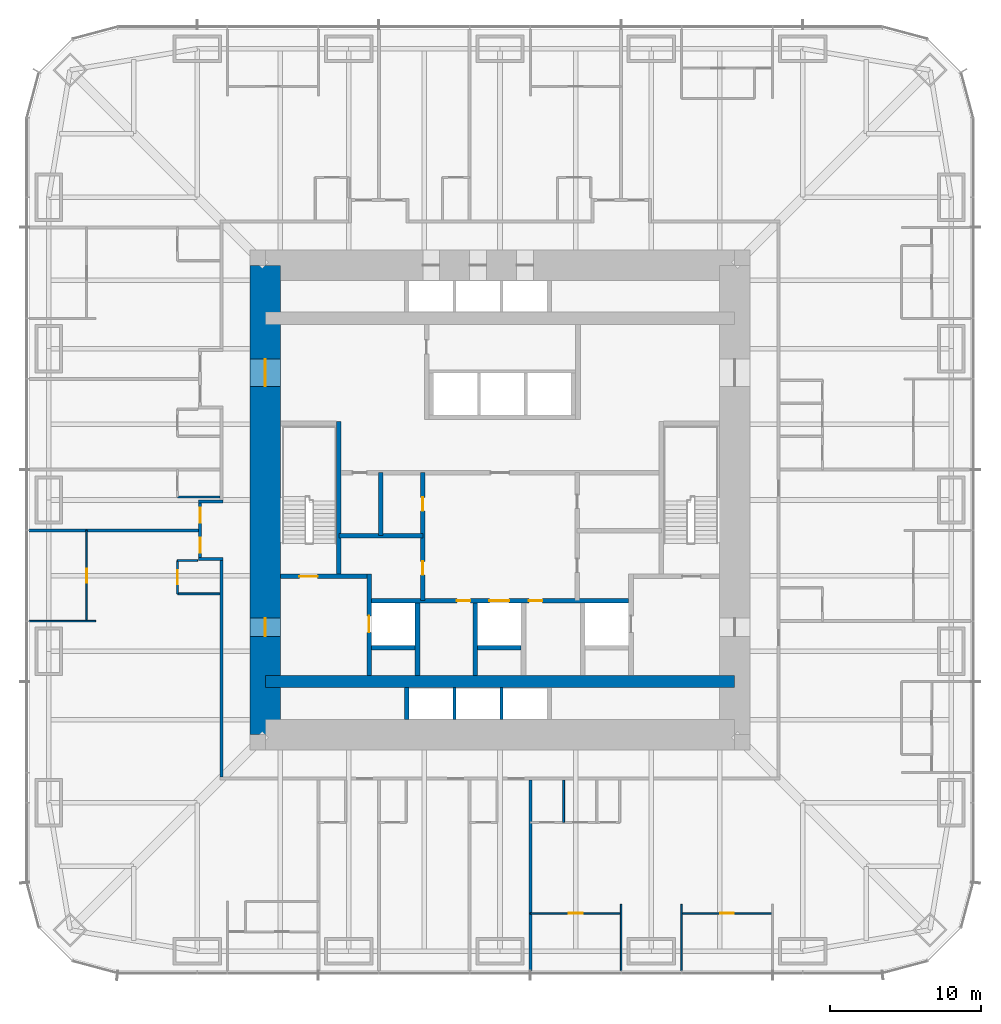
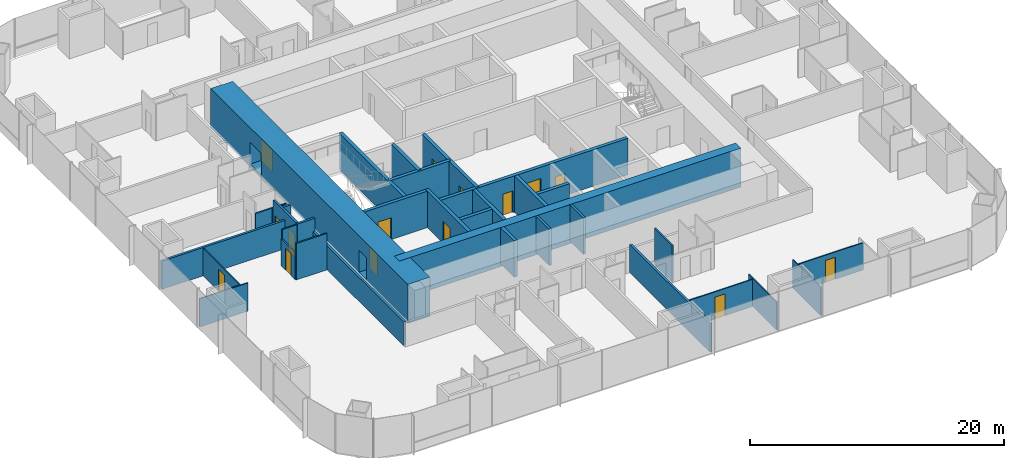
# One storey, part 12 of 17: 33 walls, 15 doors, 15 openings.
"""IFC4 building model written with IfcOpenShell, lengths in metres."""

from ifc_helpers import new_model, si_unit, direction, frame, frame_2d, origin, place, context, subcontext, project, spatial, rectangle, extrude, material, layer, layer_set, type_object, element, fill, save


model = new_model("IFC4")

# Units and contexts
model_context = context("Model", 3, precision=1e-05, world=origin(), true_north=direction((0.0, 1.0)))
body_context = subcontext(model_context, "Body", "Model", "MODEL_VIEW")
ifc_project = project(units=[si_unit("LENGTHUNIT", "METRE"), si_unit("AREAUNIT", "SQUARE_METRE"), si_unit("VOLUMEUNIT", "CUBIC_METRE"), si_unit("PLANEANGLEUNIT", "RADIAN"), si_unit("MASSUNIT", "GRAM", prefix="KILO")], contexts=[model_context])

# Site, building, storey
site_placement = place(None, origin())
site = spatial("IfcSite", under=ifc_project, at=site_placement, CompositionType="ELEMENT")
building_placement = place(site_placement, origin())
building = spatial("IfcBuilding", under=site, at=building_placement, Name="Khuree Lantern Residences", CompositionType="ELEMENT")
storey_placement = place(building_placement, frame((0.0, 0.0, 73.5)))
storey = spatial("IfcBuildingStorey", under=building, at=storey_placement, Name="L18", CompositionType="ELEMENT", Elevation=73.5)

# Wall
ifc_material_1 = material(Name="Moisture-resistant gypsum board on steel studs", Category="steel")
ifc_layer_1 = layer(ifc_material_1, 0.125)
ifc_layer_set_1 = layer_set([ifc_layer_1], Name="BATHROOM WALL BTW125")
wall_type_1 = type_object("IfcWallType", Name="BATHROOM WALL BTW125", PredefinedType="PARTITIONING", material=ifc_layer_set_1)
wall_1_placement = place(storey_placement, frame((-18.5, 0.199951171875, 0.0), z_axis=(0.0, 0.0, 1.0), x_axis=(-1.0, 0.0, 0.0)))
element("IfcWall", 1, at=wall_1_placement, inside=storey, type_object=wall_type_1, Name="L18 BATHROOM WALL 08", PredefinedType="PARTITIONING", context=body_context, shape_type="SweptSolid", body=[
    extrude(rectangle(XDim=2.800048828125, YDim=0.125, at=frame_2d((1.39990234375, 0.0))), origin(), (0.0, 0.0, 1.0), 2.491943359375),
])

# Wall, opening, door
wall_2_placement = place(storey_placement, frame((-21.300048828125, -4.0, 0.0), z_axis=(0.0, 0.0, 1.0), x_axis=(0.0, -1.0, 0.0)))
wall_2 = element("IfcWall", 2, at=wall_2_placement, inside=storey, type_object=wall_type_1, Name="L18 BATHROOM WALL 09", PredefinedType="PARTITIONING", context=body_context, shape_type="SweptSolid", body=[
    extrude(rectangle(XDim=2.199951171875, YDim=0.125, at=frame_2d((1.10009765625, 0.0))), origin(), (0.0, 0.0, 1.0), 2.610107421875),
])
opening_1_placement = place(wall_2_placement, frame((0.64990234375, 0.0, 0.0)))
opening_1 = element("IfcOpeningElement", 3, at=opening_1_placement, cuts=wall_2, Name="Opening 18-052", PredefinedType="OPENING", context=body_context, shape_type="SweptSolid", body=[
    extrude(rectangle(XDim=0.89990234375, YDim=2.10009765625, at=frame_2d((0.449951171875, 1.050048828125))), frame((0.0, 0.072509765625, 0.0), z_axis=(0.0, -1.0, 0.0), x_axis=(1.0, 0.0, 0.0)), (0.0, 0.0, 1.0), 0.14501953125),
])
ifc_material_2 = material(Name="Timber door leaf in hardwood frame", Category="wood")
door_type_1 = type_object("IfcDoorType", Name="BATHROOM DOOR 900X2100", OperationType="SINGLE_SWING_LEFT", PredefinedType="DOOR", material=ifc_material_2)
door_1_placement = place(opening_1_placement, origin())
door_1 = element("IfcDoor", 4, at=door_1_placement, inside=storey, type_object=door_type_1, Name="Bathroom door 18-052", OperationType="SINGLE_SWING_LEFT", OverallHeight=2.10009765625, OverallWidth=0.89990234375, PredefinedType="DOOR", context=body_context, shape_type="SweptSolid", body=[
    extrude(rectangle(XDim=0.89990234375, YDim=2.10009765625, at=frame_2d((0.449951171875, 1.050048828125))), frame((0.0, 0.02490234375, 0.0), z_axis=(0.0, -1.0, 0.0), x_axis=(1.0, 0.0, 0.0)), (0.0, 0.0, 1.0), 0.050048828125),
])
fill(opening_1, door_1)

# Walls
wall_3_placement = place(storey_placement, frame((-19.969970703125, -4.0, 0.0), z_axis=(0.0, 0.0, 1.0), x_axis=(-1.0, 0.0, 0.0)))
element("IfcWall", 5, at=wall_3_placement, inside=storey, type_object=wall_type_1, Name="L18 BATHROOM WALL 09", PredefinedType="PARTITIONING", context=body_context, shape_type="SweptSolid", body=[
    extrude(rectangle(XDim=1.330078125, YDim=0.125, at=frame_2d((0.6650390625, 0.0))), origin(), (0.0, 0.0, 1.0), 3.5),
])
for number, where, z_axis, x_axis, name in (
    (6, (-18.5, -6.199951171875, 0.0), (0.0, 0.0, 1.0), (-1.0, 0.0, 0.0), "L18 BATHROOM WALL 09"),
    (7, (4.199951171875, -18.5, 0.0), (0.0, 0.0, 1.0), (0.0, -1.0, 0.0), "L18 BATHROOM WALL 13"),
):
    element("IfcWall", number, at=place(storey_placement, frame(where, z_axis=z_axis, x_axis=x_axis)), inside=storey, type_object=wall_type_1, Name=name, PredefinedType="PARTITIONING", context=body_context, shape_type="SweptSolid", body=[
        extrude(rectangle(XDim=2.800048828125, YDim=0.125, at=frame_2d((1.39990234375, 0.0))), origin(), (0.0, 0.0, 1.0), 3.5),
    ])

# Wall, opening, door
ifc_material_3 = material(Name="Dense concrete blockwork", Category="masonry")
ifc_layer_2 = layer(ifc_material_3, 0.300048828125)
ifc_layer_set_2 = layer_set([ifc_layer_2], Name="CORE PARTITION WALL CPW300 EI 120")
wall_type_2 = type_object("IfcWallType", Name="CORE PARTITION WALL CPW300 EI 120", PredefinedType="PARTITIONING", material=ifc_layer_set_2)
wall_4_placement = place(storey_placement, frame((-8.64990234375, -11.60009765625, 0.0), z_axis=(0.0, 0.0, 1.0), x_axis=(0.0, 1.0, 0.0)))
wall_4 = element("IfcWall", 8, at=wall_4_placement, inside=storey, type_object=wall_type_2, Name="L18 CORE WALL FL1W", PredefinedType="PARTITIONING", context=body_context, shape_type="SweptSolid", body=[
    extrude(rectangle(XDim=6.7001953125, YDim=0.300048828125, at=frame_2d((3.35009765625, 0.0))), origin(), (0.0, 0.0, 1.0), 3.5),
])
opening_2_placement = place(wall_4_placement, frame((2.85009765625, 0.0, 0.0)))
opening_2 = element("IfcOpeningElement", 9, at=opening_2_placement, cuts=wall_4, Name="Opening 18-007", PredefinedType="OPENING", context=body_context, shape_type="SweptSolid", body=[
    extrude(rectangle(XDim=1.10009765625, YDim=2.10009765625, at=frame_2d((0.550048828125, 1.050048828125))), frame((0.0, 0.16015625, 0.0), z_axis=(0.0, -1.0, 0.0), x_axis=(1.0, 0.0, 0.0)), (0.0, 0.0, 1.0), 0.320068359375),
])
ifc_material_4 = material(Name="Stainless steel lift landing door", Category="steel")
door_type_2 = type_object("IfcDoorType", Name="LIFT LANDING DOOR 1100X2100 E 120", OperationType="DOUBLE_DOOR_SLIDING", PredefinedType="DOOR", material=ifc_material_4)
door_2_placement = place(opening_2_placement, origin())
door_2 = element("IfcDoor", 10, at=door_2_placement, inside=storey, type_object=door_type_2, Name="Landing door FL1 18-007", OperationType="DOUBLE_DOOR_SLIDING", OverallHeight=2.10009765625, OverallWidth=1.10009765625, PredefinedType="DOOR", context=body_context, shape_type="SweptSolid", body=[
    extrude(rectangle(XDim=1.10009765625, YDim=2.10009765625, at=frame_2d((0.550048828125, 1.050048828125))), frame((0.0, 0.02490234375, 0.0), z_axis=(0.0, -1.0, 0.0), x_axis=(1.0, 0.0, 0.0)), (0.0, 0.0, 1.0), 0.050048828125),
])
fill(opening_2, door_2)

# Wall, openings, doors
wall_5_placement = place(storey_placement, frame((-8.5, -6.64990234375, 0.0), z_axis=(0.0, 0.0, 1.0), x_axis=(1.0, 0.0, 0.0)))
wall_5 = element("IfcWall", 11, at=wall_5_placement, inside=storey, type_object=wall_type_2, Name="L18 CORE WALL FLROW", PredefinedType="PARTITIONING", context=body_context, shape_type="SweptSolid", body=[
    extrude(rectangle(XDim=17.0, YDim=0.300048828125, at=frame_2d((8.5, 0.0))), origin(), (0.0, 0.0, 1.0), 3.5),
])
opening_3_placement = place(wall_5_placement, frame((7.800048828125, 0.0, 0.0)))
opening_3 = element("IfcOpeningElement", 12, at=opening_3_placement, cuts=wall_5, Name="Opening 18-012", PredefinedType="OPENING", context=body_context, shape_type="SweptSolid", body=[
    extrude(rectangle(XDim=1.300048828125, YDim=2.39990234375, at=frame_2d((0.64990234375, 1.199951171875))), frame((0.0, 0.16015625, 0.0), z_axis=(0.0, -1.0, 0.0), x_axis=(1.0, 0.0, 0.0)), (0.0, 0.0, 1.0), 0.320068359375),
])
opening_4_placement = place(wall_5_placement, frame((5.64990234375, 0.0, 0.0)))
opening_4 = element("IfcOpeningElement", 13, at=opening_4_placement, cuts=wall_5, Name="Opening 18-014", PredefinedType="OPENING", context=body_context, shape_type="SweptSolid", body=[
    extrude(rectangle(XDim=0.89990234375, YDim=2.10009765625, at=frame_2d((0.449951171875, 1.050048828125))), frame((0.0, 0.16015625, 0.0), z_axis=(0.0, -1.0, 0.0), x_axis=(1.0, 0.0, 0.0)), (0.0, 0.0, 1.0), 0.320068359375),
])
opening_5_placement = place(wall_5_placement, frame((10.39990234375, 0.0, 0.0)))
opening_5 = element("IfcOpeningElement", 14, at=opening_5_placement, cuts=wall_5, Name="Opening 18-015", PredefinedType="OPENING", context=body_context, shape_type="SweptSolid", body=[
    extrude(rectangle(XDim=0.89990234375, YDim=2.10009765625, at=frame_2d((0.449951171875, 1.050048828125))), frame((0.0, 0.16015625, 0.0), z_axis=(0.0, -1.0, 0.0), x_axis=(1.0, 0.0, 0.0)), (0.0, 0.0, 1.0), 0.320068359375),
])
ifc_material_5 = material(Name="Steel door leaf in steel frame", Category="steel")
door_type_3 = type_object("IfcDoorType", Name="DOOR 900X2100 EI 60", OperationType="SINGLE_SWING_LEFT", PredefinedType="DOOR", material=ifc_material_5)
door_3_placement = place(opening_4_placement, origin())
door_3 = element("IfcDoor", 15, at=door_3_placement, inside=storey, type_object=door_type_3, Name="Refuse chute room door 18-014", OperationType="SINGLE_SWING_LEFT", OverallHeight=2.10009765625, OverallWidth=0.89990234375, PredefinedType="DOOR", context=body_context, shape_type="SweptSolid", body=[
    extrude(rectangle(XDim=0.89990234375, YDim=2.10009765625, at=frame_2d((0.449951171875, 1.050048828125))), frame((0.0, 0.02490234375, 0.0), z_axis=(0.0, -1.0, 0.0), x_axis=(1.0, 0.0, 0.0)), (0.0, 0.0, 1.0), 0.050048828125),
])
fill(opening_4, door_3)
door_type_4 = type_object("IfcDoorType", Name="DOOR 900X2100 EI 60 RIGHT HAND", OperationType="SINGLE_SWING_RIGHT", PredefinedType="DOOR", material=ifc_material_5)
door_4_placement = place(opening_5_placement, origin())
door_4 = element("IfcDoor", 16, at=door_4_placement, inside=storey, type_object=door_type_4, Name="Electrical and plumbing riser door 18-015", OperationType="SINGLE_SWING_RIGHT", OverallHeight=2.10009765625, OverallWidth=0.89990234375, PredefinedType="DOOR", context=body_context, shape_type="SweptSolid", body=[
    extrude(rectangle(XDim=0.89990234375, YDim=2.10009765625, at=frame_2d((0.449951171875, 1.050048828125))), frame((0.0, 0.02490234375, 0.0), z_axis=(0.0, -1.0, 0.0), x_axis=(1.0, 0.0, 0.0)), (0.0, 0.0, 1.0), 0.050048828125),
])
fill(opening_5, door_4)
door_type_5 = type_object("IfcDoorType", Name="LIFT LANDING DOOR 1300X2400 E 60", OperationType="DOUBLE_DOOR_SLIDING", PredefinedType="DOOR", material=ifc_material_4)
door_5_placement = place(opening_3_placement, origin())
door_5 = element("IfcDoor", 17, at=door_5_placement, inside=storey, type_object=door_type_5, Name="Landing door SL1 18-012", OperationType="DOUBLE_DOOR_SLIDING", OverallHeight=2.39990234375, OverallWidth=1.300048828125, PredefinedType="DOOR", context=body_context, shape_type="SweptSolid", body=[
    extrude(rectangle(XDim=1.300048828125, YDim=2.39990234375, at=frame_2d((0.64990234375, 1.199951171875))), frame((0.0, 0.02490234375, 0.0), z_axis=(0.0, -1.0, 0.0), x_axis=(1.0, 0.0, 0.0)), (0.0, 0.0, 1.0), 0.050048828125),
])
fill(opening_3, door_5)

# Walls
for number, where, z_axis, x_axis, name in (
    (18, (-5.449951171875, -11.60009765625, 0.0), (0.0, 0.0, 1.0), (0.0, 1.0, 0.0), "L18 CORE WALL FL1E"),
    (19, (-1.64990234375, -11.60009765625, 0.0), (0.0, 0.0, 1.0), (0.0, 1.0, 0.0), "L18 CORE WALL SL1W"),
):
    element("IfcWall", number, at=place(storey_placement, frame(where, z_axis=z_axis, x_axis=x_axis)), inside=storey, type_object=wall_type_2, Name=name, PredefinedType="PARTITIONING", context=body_context, shape_type="SweptSolid", body=[
        extrude(rectangle(XDim=4.800048828125, YDim=0.300048828125, at=frame_2d((2.39990234375, 0.0))), origin(), (0.0, 0.0, 1.0), 3.5),
    ])
for number, where, z_axis, x_axis, name in (
    (20, (-8.5, -9.75, 0.0), (0.0, 0.0, 1.0), (1.0, 0.0, 0.0), "L18 CORE WALL FL1S"),
    (21, (-1.5, -9.75, 0.0), (0.0, 0.0, 1.0), (1.0, 0.0, 0.0), "L18 CORE WALL SL1S"),
):
    element("IfcWall", number, at=place(storey_placement, frame(where, z_axis=z_axis, x_axis=x_axis)), inside=storey, type_object=wall_type_2, Name=name, PredefinedType="PARTITIONING", context=body_context, shape_type="SweptSolid", body=[
        extrude(rectangle(XDim=2.89990234375, YDim=0.300048828125, at=frame_2d((1.449951171875, 0.0))), origin(), (0.0, 0.0, 1.0), 3.5),
    ])
wall_6_placement = place(storey_placement, frame((-6.14990234375, -14.5, 0.0), z_axis=(0.0, 0.0, 1.0), x_axis=(0.0, 1.0, 0.0)))
element("IfcWall", 22, at=wall_6_placement, inside=storey, type_object=wall_type_2, Name="L18 CORE WALL PMW", PredefinedType="PARTITIONING", context=body_context, shape_type="SweptSolid", body=[
    extrude(rectangle(XDim=2.10009765625, YDim=0.300048828125, at=frame_2d((1.050048828125, 0.0))), origin(), (0.0, 0.0, 1.0), 3.5),
])

# Wall, openings, doors
wall_7_placement = place(storey_placement, frame((-5.10009765625, -6.64990234375, 0.0), z_axis=(0.0, 0.0, 1.0), x_axis=(0.0, 1.0, 0.0)))
wall_7 = element("IfcWall", 23, at=wall_7_placement, inside=storey, type_object=wall_type_2, Name="L18 CORE WALL SVW", PredefinedType="PARTITIONING", context=body_context, shape_type="SweptSolid", body=[
    extrude(rectangle(XDim=8.449951171875, YDim=0.300048828125, at=frame_2d((4.22509765625, 0.0))), origin(), (0.0, 0.0, 1.0), 3.5),
])
opening_6_placement = place(wall_7_placement, frame((1.699951171875, 0.0, 0.0)))
opening_6 = element("IfcOpeningElement", 24, at=opening_6_placement, cuts=wall_7, Name="Opening 18-016", PredefinedType="OPENING", context=body_context, shape_type="SweptSolid", body=[
    extrude(rectangle(XDim=0.89990234375, YDim=2.10009765625, at=frame_2d((0.449951171875, 1.050048828125))), frame((0.0, 0.16015625, 0.0), z_axis=(0.0, -1.0, 0.0), x_axis=(1.0, 0.0, 0.0)), (0.0, 0.0, 1.0), 0.320068359375),
])
opening_7_placement = place(wall_7_placement, frame((5.925048828125, 0.0, 0.0)))
opening_7 = element("IfcOpeningElement", 25, at=opening_7_placement, cuts=wall_7, Name="Opening 18-017", PredefinedType="OPENING", context=body_context, shape_type="SweptSolid", body=[
    extrude(rectangle(XDim=0.89990234375, YDim=2.10009765625, at=frame_2d((0.449951171875, 1.050048828125))), frame((0.0, 0.16015625, 0.0), z_axis=(0.0, -1.0, 0.0), x_axis=(1.0, 0.0, 0.0)), (0.0, 0.0, 1.0), 0.320068359375),
])
door_type_6 = type_object("IfcDoorType", Name="DOOR 900X2100", OperationType="SINGLE_SWING_LEFT", PredefinedType="DOOR", material=ifc_material_2)
door_6_placement = place(opening_6_placement, origin())
door_6 = element("IfcDoor", 26, at=door_6_placement, inside=storey, type_object=door_type_6, Name="Parcel room door 18-016", OperationType="SINGLE_SWING_LEFT", OverallHeight=2.10009765625, OverallWidth=0.89990234375, PredefinedType="DOOR", context=body_context, shape_type="SweptSolid", body=[
    extrude(rectangle(XDim=0.89990234375, YDim=2.10009765625, at=frame_2d((0.449951171875, 1.050048828125))), frame((0.0, 0.02490234375, 0.0), z_axis=(0.0, -1.0, 0.0), x_axis=(1.0, 0.0, 0.0)), (0.0, 0.0, 1.0), 0.050048828125),
])
fill(opening_6, door_6)
door_7_placement = place(opening_7_placement, origin())
door_7 = element("IfcDoor", 27, at=door_7_placement, inside=storey, type_object=door_type_6, Name="Housekeeping store door 18-017", OperationType="SINGLE_SWING_LEFT", OverallHeight=2.10009765625, OverallWidth=0.89990234375, PredefinedType="DOOR", context=body_context, shape_type="SweptSolid", body=[
    extrude(rectangle(XDim=0.89990234375, YDim=2.10009765625, at=frame_2d((0.449951171875, 1.050048828125))), frame((0.0, 0.02490234375, 0.0), z_axis=(0.0, -1.0, 0.0), x_axis=(1.0, 0.0, 0.0)), (0.0, 0.0, 1.0), 0.050048828125),
])
fill(opening_7, door_7)

# Walls
wall_8_placement = place(storey_placement, frame((-10.64990234375, -2.35009765625, 0.0), z_axis=(0.0, 0.0, 1.0), x_axis=(1.0, 0.0, 0.0)))
element("IfcWall", 28, at=wall_8_placement, inside=storey, type_object=wall_type_2, Name="L18 CORE WALL WX", PredefinedType="PARTITIONING", context=body_context, shape_type="SweptSolid", body=[
    extrude(rectangle(XDim=5.5498046875, YDim=0.300048828125, at=frame_2d((2.77490234375, 0.0))), origin(), (0.0, 0.0, 1.0), 3.5),
])
wall_9_placement = place(storey_placement, frame((-7.875, -2.35009765625, 0.0), z_axis=(0.0, 0.0, 1.0), x_axis=(0.0, 1.0, 0.0)))
element("IfcWall", 29, at=wall_9_placement, inside=storey, type_object=wall_type_2, Name="L18 CORE WALL WV", PredefinedType="PARTITIONING", context=body_context, shape_type="SweptSolid", body=[
    extrude(rectangle(XDim=4.150146484375, YDim=0.300048828125, at=frame_2d((2.0751953125, 0.0))), origin(), (0.0, 0.0, 1.0), 3.5),
])
ifc_material_6 = material(Name="Gypsum board on steel studs", Category="steel")
ifc_layer_3 = layer(ifc_material_6, 0.199951171875)
ifc_layer_set_3 = layer_set([ifc_layer_3], Name="CORRIDOR WALL CRW200 EI 60")
wall_type_3 = type_object("IfcWallType", Name="CORRIDOR WALL CRW200 EI 60", PredefinedType="PARTITIONING", material=ifc_layer_set_3)
wall_10_placement = place(storey_placement, frame((-18.300048828125, -0.10009765625, 0.0), z_axis=(0.0, 0.0, 1.0), x_axis=(-1.0, 0.0, 0.0)))
element("IfcWall", 30, at=wall_10_placement, inside=storey, type_object=wall_type_3, Name="L18 CORRIDOR ALCOVE WALL WEST", PredefinedType="PARTITIONING", context=body_context, shape_type="SweptSolid", body=[
    extrude(rectangle(XDim=1.599853515625, YDim=0.199951171875, at=frame_2d((0.7998046875, 0.0))), origin(), (0.0, 0.0, 1.0), 2.491943359375),
])
wall_11_placement = place(storey_placement, frame((-18.300048828125, -3.89990234375, 0.0), z_axis=(0.0, 0.0, 1.0), x_axis=(-1.0, 0.0, 0.0)))
element("IfcWall", 31, at=wall_11_placement, inside=storey, type_object=wall_type_3, Name="L18 CORRIDOR ALCOVE WALL WEST", PredefinedType="PARTITIONING", context=body_context, shape_type="SweptSolid", body=[
    extrude(rectangle(XDim=1.599853515625, YDim=0.199951171875, at=frame_2d((0.7998046875, 0.0))), origin(), (0.0, 0.0, 1.0), 3.5),
])

# Wall, openings, doors
wall_12_placement = place(storey_placement, frame((-19.800048828125, -0.199951171875, 0.0), z_axis=(0.0, 0.0, 1.0), x_axis=(0.0, -1.0, 0.0)))
wall_12 = element("IfcWall", 32, at=wall_12_placement, inside=storey, type_object=wall_type_3, Name="L18 CORRIDOR ALCOVE WALL WEST", PredefinedType="PARTITIONING", context=body_context, shape_type="SweptSolid", body=[
    extrude(rectangle(XDim=3.60009765625, YDim=0.199951171875, at=frame_2d((1.800048828125, 0.0))), origin(), (0.0, 0.0, 1.0), 3.5),
])
opening_8_placement = place(wall_12_placement, frame((0.300048828125, 0.0, 0.0)))
opening_8 = element("IfcOpeningElement", 33, at=opening_8_placement, cuts=wall_12, Name="Opening 18-048", PredefinedType="OPENING", context=body_context, shape_type="SweptSolid", body=[
    extrude(rectangle(XDim=1.0, YDim=2.199951171875, at=frame_2d((0.5, 1.10009765625))), frame((0.0, 0.10986328125, 0.0), z_axis=(0.0, -1.0, 0.0), x_axis=(1.0, 0.0, 0.0)), (0.0, 0.0, 1.0), 0.219970703125),
])
opening_9_placement = place(wall_12_placement, frame((2.300048828125, 0.0, 0.0)))
opening_9 = element("IfcOpeningElement", 34, at=opening_9_placement, cuts=wall_12, Name="Opening 18-053", PredefinedType="OPENING", context=body_context, shape_type="SweptSolid", body=[
    extrude(rectangle(XDim=1.0, YDim=2.199951171875, at=frame_2d((0.5, 1.10009765625))), frame((0.0, 0.10986328125, 0.0), z_axis=(0.0, -1.0, 0.0), x_axis=(1.0, 0.0, 0.0)), (0.0, 0.0, 1.0), 0.219970703125),
])
door_type_7 = type_object("IfcDoorType", Name="APARTMENT ENTRANCE DOOR 1000X2200 EI 30S", OperationType="SINGLE_SWING_LEFT", PredefinedType="DOOR", material=ifc_material_2)
door_8_placement = place(opening_8_placement, origin())
door_8 = element("IfcDoor", 35, at=door_8_placement, inside=storey, type_object=door_type_7, Name="Apartment 08 entrance door 18-048", OperationType="SINGLE_SWING_LEFT", OverallHeight=2.199951171875, OverallWidth=1.0, PredefinedType="DOOR", context=body_context, shape_type="SweptSolid", body=[
    extrude(rectangle(XDim=1.0, YDim=2.199951171875, at=frame_2d((0.5, 1.10009765625))), frame((0.0, 0.02490234375, 0.0), z_axis=(0.0, -1.0, 0.0), x_axis=(1.0, 0.0, 0.0)), (0.0, 0.0, 1.0), 0.050048828125),
])
fill(opening_8, door_8)
door_type_8 = type_object("IfcDoorType", Name="APARTMENT ENTRANCE DOOR 1000X2200 EI 30S RIGHT HAND", OperationType="SINGLE_SWING_RIGHT", PredefinedType="DOOR", material=ifc_material_2)
door_9_placement = place(opening_9_placement, origin())
door_9 = element("IfcDoor", 36, at=door_9_placement, inside=storey, type_object=door_type_8, Name="Apartment 09 entrance door 18-053", OperationType="SINGLE_SWING_RIGHT", OverallHeight=2.199951171875, OverallWidth=1.0, PredefinedType="DOOR", context=body_context, shape_type="SweptSolid", body=[
    extrude(rectangle(XDim=1.0, YDim=2.199951171875, at=frame_2d((0.5, 1.10009765625))), frame((0.0, 0.02490234375, 0.0), z_axis=(0.0, -1.0, 0.0), x_axis=(1.0, 0.0, 0.0)), (0.0, 0.0, 1.0), 0.050048828125),
])
fill(opening_9, door_9)

# Wall
wall_13_placement = place(storey_placement, frame((-18.39990234375, -4.0, 0.0), z_axis=(0.0, 0.0, 1.0), x_axis=(0.0, -1.0, 0.0)))
element("IfcWall", 37, at=wall_13_placement, inside=storey, type_object=wall_type_3, Name="L18 CORRIDOR WALL WEST 3", PredefinedType="PARTITIONING", context=body_context, shape_type="SweptSolid", body=[
    extrude(rectangle(XDim=14.300048828125, YDim=0.199951171875, at=frame_2d((7.14990234375, 0.0))), origin(), (0.0, 0.0, 1.0), 2.300048828125),
])

# Wall, openings, doors
ifc_material_7 = material(Name="Concrete C70/85", Category="concrete")
ifc_layer_4 = layer(ifc_material_7, 2.0)
ifc_layer_set_4 = layer_set([ifc_layer_4], Name="CW2000-C70 CORE WALL C70 2000")
wall_type_4 = type_object("IfcWallType", Name="CW2000-C70 CORE WALL C70 2000", PredefinedType="SHEAR", material=ifc_layer_set_4)
wall_14_placement = place(storey_placement, frame((-15.5, -15.5, -0.25), z_axis=(0.0, 0.0, 1.0), x_axis=(0.0, 1.0, 0.0)))
wall_14 = element("IfcWall", 38, at=wall_14_placement, inside=storey, type_object=wall_type_4, Name="Core wall W", PredefinedType="SHEAR", context=body_context, shape_type="SweptSolid", body=[
    extrude(rectangle(XDim=31.0, YDim=2.0, at=frame_2d((15.5, 0.0))), origin(), (0.0, 0.0, 1.0), 3.75),
])
opening_10_placement = place(wall_14_placement, frame((6.5, 0.0, 0.25)))
opening_10 = element("IfcOpeningElement", 39, at=opening_10_placement, cuts=wall_14, Name="Opening 18-002", PredefinedType="OPENING", context=body_context, shape_type="SweptSolid", body=[
    extrude(rectangle(XDim=1.199951171875, YDim=2.10009765625, at=frame_2d((0.60009765625, 1.050048828125))), frame((0.0, 1.010009765625, 0.0), z_axis=(0.0, -1.0, 0.0), x_axis=(1.0, 0.0, 0.0)), (0.0, 0.0, 1.0), 2.02001953125),
])
opening_11_placement = place(wall_14_placement, frame((23.0, 0.0, 0.25)))
opening_11 = element("IfcOpeningElement", 40, at=opening_11_placement, cuts=wall_14, Name="Opening 18-003", PredefinedType="OPENING", context=body_context, shape_type="SweptSolid", body=[
    extrude(rectangle(XDim=1.800048828125, YDim=2.10009765625, at=frame_2d((0.89990234375, 1.050048828125))), frame((0.0, 1.010009765625, 0.0), z_axis=(0.0, -1.0, 0.0), x_axis=(1.0, 0.0, 0.0)), (0.0, 0.0, 1.0), 2.02001953125),
])
door_type_9 = type_object("IfcDoorType", Name="LOBBY DOOR 1200X2100 EI 120", OperationType="SINGLE_SWING_LEFT", PredefinedType="DOOR", material=ifc_material_5)
door_10_placement = place(opening_10_placement, origin())
door_10 = element("IfcDoor", 41, at=door_10_placement, inside=storey, type_object=door_type_9, Name="Firefighting lobby door 18-002", OperationType="SINGLE_SWING_LEFT", OverallHeight=2.10009765625, OverallWidth=1.199951171875, PredefinedType="DOOR", context=body_context, shape_type="SweptSolid", body=[
    extrude(rectangle(XDim=1.199951171875, YDim=2.10009765625, at=frame_2d((0.60009765625, 1.050048828125))), frame((0.0, 0.02490234375, 0.0), z_axis=(0.0, -1.0, 0.0), x_axis=(1.0, 0.0, 0.0)), (0.0, 0.0, 1.0), 0.050048828125),
])
fill(opening_10, door_10)
door_type_10 = type_object("IfcDoorType", Name="LOBBY DOUBLE DOOR 1800X2100 EI 60", OperationType="DOUBLE_DOOR_SINGLE_SWING", PredefinedType="DOOR", material=ifc_material_5)
door_11_placement = place(opening_11_placement, origin())
door_11 = element("IfcDoor", 42, at=door_11_placement, inside=storey, type_object=door_type_10, Name="Lift lobby door 18-003", OperationType="DOUBLE_DOOR_SINGLE_SWING", OverallHeight=2.10009765625, OverallWidth=1.800048828125, PredefinedType="DOOR", context=body_context, shape_type="SweptSolid", body=[
    extrude(rectangle(XDim=1.800048828125, YDim=2.10009765625, at=frame_2d((0.89990234375, 1.050048828125))), frame((0.0, 0.02490234375, 0.0), z_axis=(0.0, -1.0, 0.0), x_axis=(1.0, 0.0, 0.0)), (0.0, 0.0, 1.0), 0.050048828125),
])
fill(opening_11, door_11)

# Walls
ifc_layer_5 = layer(ifc_material_6, 0.199951171875)
ifc_layer_set_5 = layer_set([ifc_layer_5], Name="DEMISING WALL DMW200 EI 90")
wall_type_5 = type_object("IfcWallType", Name="DEMISING WALL DMW200 EI 90", PredefinedType="PARTITIONING", material=ifc_layer_set_5)
wall_15_placement = place(storey_placement, frame((-19.89990234375, -2.0, 0.0), z_axis=(0.0, 0.0, 1.0), x_axis=(-1.0, 0.0, 0.0)))
element("IfcWall", 43, at=wall_15_placement, inside=storey, type_object=wall_type_5, Name="L18 DEMISING WALL 09", PredefinedType="PARTITIONING", context=body_context, shape_type="SweptSolid", body=[
    extrude(rectangle(XDim=11.2001953125, YDim=0.199951171875, at=frame_2d((5.60009765625, 0.0))), origin(), (0.0, 0.0, 1.0), 2.7099609375),
])
wall_16_placement = place(storey_placement, frame((2.0, -18.5, 0.0), z_axis=(0.0, 0.0, 1.0), x_axis=(0.0, -1.0, 0.0)))
element("IfcWall", 44, at=wall_16_placement, inside=storey, type_object=wall_type_5, Name="L18 DEMISING WALL 13", PredefinedType="PARTITIONING", context=body_context, shape_type="SweptSolid", body=[
    extrude(rectangle(XDim=12.60009765625, YDim=0.199951171875, at=frame_2d((6.300048828125, 0.0))), origin(), (0.0, 0.0, 1.0), 2.7099609375),
])
ifc_layer_6 = layer(ifc_material_6, 0.10009765625)
ifc_layer_set_6 = layer_set([ifc_layer_6], Name="PARTITION PT100")
wall_type_6 = type_object("IfcWallType", Name="PARTITION PT100", PredefinedType="PARTITIONING", material=ifc_layer_set_6)
for number, where, z_axis, x_axis, name in (
    (45, (-26.699951171875, -8.0, 0.0), (0.0, 0.0, 1.0), (-1.0, 0.0, 0.0), "L18 PARTITION 09"),
    (46, (8.0, -26.699951171875, 0.0), (0.0, 0.0, 1.0), (0.0, -1.0, 0.0), "L18 PARTITION 13"),
    (47, (12.0, -26.699951171875, 0.0), (0.0, 0.0, 1.0), (0.0, -1.0, 0.0), "L18 PARTITION 13"),
):
    element("IfcWall", number, at=place(storey_placement, frame(where, z_axis=z_axis, x_axis=x_axis)), inside=storey, type_object=wall_type_6, Name=name, PredefinedType="PARTITIONING", context=body_context, shape_type="SweptSolid", body=[
        extrude(rectangle(XDim=4.400146484375, YDim=0.10009765625, at=frame_2d((2.2001953125, 0.0))), origin(), (0.0, 0.0, 1.0), 2.7099609375),
    ])

# Wall, opening, door
wall_17_placement = place(storey_placement, frame((-27.300048828125, -2.0, 0.0), z_axis=(0.0, 0.0, 1.0), x_axis=(0.0, -1.0, 0.0)))
wall_17 = element("IfcWall", 48, at=wall_17_placement, inside=storey, type_object=wall_type_6, Name="L18 PARTITION 09", PredefinedType="PARTITIONING", context=body_context, shape_type="SweptSolid", body=[
    extrude(rectangle(XDim=6.0, YDim=0.10009765625, at=frame_2d((3.0, 0.0))), origin(), (0.0, 0.0, 1.0), 2.610107421875),
])
opening_12_placement = place(wall_17_placement, frame((2.550048828125, 0.0, 0.0)))
opening_12 = element("IfcOpeningElement", 49, at=opening_12_placement, cuts=wall_17, Name="Opening 18-049", PredefinedType="OPENING", context=body_context, shape_type="SweptSolid", body=[
    extrude(rectangle(XDim=0.89990234375, YDim=2.10009765625, at=frame_2d((0.449951171875, 1.050048828125))), frame((0.0, 0.06005859375, 0.0), z_axis=(0.0, -1.0, 0.0), x_axis=(1.0, 0.0, 0.0)), (0.0, 0.0, 1.0), 0.1201171875),
])
door_type_11 = type_object("IfcDoorType", Name="BEDROOM DOOR 900X2100", OperationType="SINGLE_SWING_LEFT", PredefinedType="DOOR", material=ifc_material_2)
door_12_placement = place(opening_12_placement, origin())
door_12 = element("IfcDoor", 50, at=door_12_placement, inside=storey, type_object=door_type_11, Name="Bedroom door 18-049", OperationType="SINGLE_SWING_LEFT", OverallHeight=2.10009765625, OverallWidth=0.89990234375, PredefinedType="DOOR", context=body_context, shape_type="SweptSolid", body=[
    extrude(rectangle(XDim=0.89990234375, YDim=2.10009765625, at=frame_2d((0.449951171875, 1.050048828125))), frame((0.0, 0.02490234375, 0.0), z_axis=(0.0, -1.0, 0.0), x_axis=(1.0, 0.0, 0.0)), (0.0, 0.0, 1.0), 0.050048828125),
])
fill(opening_12, door_12)

wall_18_placement = place(storey_placement, frame((2.0, -27.300048828125, 0.0), z_axis=(0.0, 0.0, 1.0), x_axis=(1.0, 0.0, 0.0)))
wall_18 = element("IfcWall", 51, at=wall_18_placement, inside=storey, type_object=wall_type_6, Name="L18 PARTITION 13", PredefinedType="PARTITIONING", context=body_context, shape_type="SweptSolid", body=[
    extrude(rectangle(XDim=6.0, YDim=0.10009765625, at=frame_2d((3.0, 0.0))), origin(), (0.0, 0.0, 1.0), 2.610107421875),
])
opening_13_placement = place(wall_18_placement, frame((2.550048828125, 0.0, 0.0)))
opening_13 = element("IfcOpeningElement", 52, at=opening_13_placement, cuts=wall_18, Name="Opening 18-060", PredefinedType="OPENING", context=body_context, shape_type="SweptSolid", body=[
    extrude(rectangle(XDim=0.89990234375, YDim=2.10009765625, at=frame_2d((0.449951171875, 1.050048828125))), frame((0.0, 0.06005859375, 0.0), z_axis=(0.0, -1.0, 0.0), x_axis=(1.0, 0.0, 0.0)), (0.0, 0.0, 1.0), 0.1201171875),
])
door_13_placement = place(opening_13_placement, origin())
door_13 = element("IfcDoor", 53, at=door_13_placement, inside=storey, type_object=door_type_11, Name="Bedroom door 18-060", OperationType="SINGLE_SWING_LEFT", OverallHeight=2.10009765625, OverallWidth=0.89990234375, PredefinedType="DOOR", context=body_context, shape_type="SweptSolid", body=[
    extrude(rectangle(XDim=0.89990234375, YDim=2.10009765625, at=frame_2d((0.449951171875, 1.050048828125))), frame((0.0, 0.02490234375, 0.0), z_axis=(0.0, -1.0, 0.0), x_axis=(1.0, 0.0, 0.0)), (0.0, 0.0, 1.0), 0.050048828125),
])
fill(opening_13, door_13)

wall_19_placement = place(storey_placement, frame((12.0, -27.300048828125, 0.0), z_axis=(0.0, 0.0, 1.0), x_axis=(1.0, 0.0, 0.0)))
wall_19 = element("IfcWall", 54, at=wall_19_placement, inside=storey, type_object=wall_type_6, Name="L18 PARTITION 13", PredefinedType="PARTITIONING", context=body_context, shape_type="SweptSolid", body=[
    extrude(rectangle(XDim=6.0, YDim=0.10009765625, at=frame_2d((3.0, 0.0))), origin(), (0.0, 0.0, 1.0), 2.610107421875),
])
opening_14_placement = place(wall_19_placement, frame((2.550048828125, 0.0, 0.0)))
opening_14 = element("IfcOpeningElement", 55, at=opening_14_placement, cuts=wall_19, Name="Opening 18-061", PredefinedType="OPENING", context=body_context, shape_type="SweptSolid", body=[
    extrude(rectangle(XDim=0.89990234375, YDim=2.10009765625, at=frame_2d((0.449951171875, 1.050048828125))), frame((0.0, 0.06005859375, 0.0), z_axis=(0.0, -1.0, 0.0), x_axis=(1.0, 0.0, 0.0)), (0.0, 0.0, 1.0), 0.1201171875),
])
door_14_placement = place(opening_14_placement, origin())
door_14 = element("IfcDoor", 56, at=door_14_placement, inside=storey, type_object=door_type_11, Name="Bedroom door 18-061", OperationType="SINGLE_SWING_LEFT", OverallHeight=2.10009765625, OverallWidth=0.89990234375, PredefinedType="DOOR", context=body_context, shape_type="SweptSolid", body=[
    extrude(rectangle(XDim=0.89990234375, YDim=2.10009765625, at=frame_2d((0.449951171875, 1.050048828125))), frame((0.0, 0.02490234375, 0.0), z_axis=(0.0, -1.0, 0.0), x_axis=(1.0, 0.0, 0.0)), (0.0, 0.0, 1.0), 0.050048828125),
])
fill(opening_14, door_14)

# Walls
ifc_layer_7 = layer(ifc_material_3, 0.199951171875)
ifc_layer_set_7 = layer_set([ifc_layer_7], Name="SHAFT WALL SHW200 EI 120")
wall_type_7 = type_object("IfcWallType", Name="SHAFT WALL SHW200 EI 120", PredefinedType="PARTITIONING", material=ifc_layer_set_7)
for number, where, z_axis, x_axis, name in (
    (57, (-3.0, -14.5, 0.0), (0.0, 0.0, 1.0), (0.0, 1.0, 0.0), "L18 CORE WALL PMD1"),
    (58, (0.10009765625, -14.5, 0.0), (0.0, 0.0, 1.0), (0.0, 1.0, 0.0), "L18 CORE WALL PMD2"),
):
    element("IfcWall", number, at=place(storey_placement, frame(where, z_axis=z_axis, x_axis=x_axis)), inside=storey, type_object=wall_type_7, Name=name, PredefinedType="PARTITIONING", context=body_context, shape_type="SweptSolid", body=[
        extrude(rectangle(XDim=2.10009765625, YDim=0.199951171875, at=frame_2d((1.050048828125, 0.0))), origin(), (0.0, 0.0, 1.0), 3.5),
    ])
ifc_layer_8 = layer(ifc_material_7, 0.800048828125)
ifc_layer_set_8 = layer_set([ifc_layer_8], Name="SP800-C70 CORE SPINE WALL C70 800")
wall_type_8 = type_object("IfcWallType", Name="SP800-C70 CORE SPINE WALL C70 800", PredefinedType="SHEAR", material=ifc_layer_set_8)
wall_20_placement = place(storey_placement, frame((-15.5, -12.0, -0.25), z_axis=(0.0, 0.0, 1.0), x_axis=(1.0, 0.0, 0.0)))
element("IfcWall", 59, at=wall_20_placement, inside=storey, type_object=wall_type_8, Name="Core wall SPS", PredefinedType="SHEAR", context=body_context, shape_type="SweptSolid", body=[
    extrude(rectangle(XDim=31.0, YDim=0.800048828125, at=frame_2d((15.5, 0.0))), origin(), (0.0, 0.0, 1.0), 3.75),
])
ifc_material_8 = material(Name="Concrete C50/60", Category="concrete")
ifc_layer_9 = layer(ifc_material_8, 0.300048828125)
ifc_layer_set_9 = layer_set([ifc_layer_9], Name="STAIR WALL SRW300 C50/60 REI 240")
wall_type_9 = type_object("IfcWallType", Name="STAIR WALL SRW300 C50/60 REI 240", PredefinedType="SOLIDWALL", material=ifc_layer_set_9)
wall_21_placement = place(storey_placement, frame((-10.64990234375, -4.89990234375, 0.0), z_axis=(0.0, 0.0, 1.0), x_axis=(0.0, 1.0, 0.0)))
element("IfcWall", 60, at=wall_21_placement, inside=storey, type_object=wall_type_9, Name="L18 STAIR WALL ST1E", PredefinedType="SOLIDWALL", context=body_context, shape_type="SweptSolid", body=[
    extrude(rectangle(XDim=10.099853515625, YDim=0.300048828125, at=frame_2d((5.0498046875, 0.0))), origin(), (0.0, 0.0, 1.0), 3.5),
])

# Wall, opening, door
wall_22_placement = place(storey_placement, frame((-14.5, -5.050048828125, 0.0), z_axis=(0.0, 0.0, 1.0), x_axis=(1.0, 0.0, 0.0)))
wall_22 = element("IfcWall", 61, at=wall_22_placement, inside=storey, type_object=wall_type_9, Name="L18 STAIR WALL ST1S", PredefinedType="SOLIDWALL", context=body_context, shape_type="SweptSolid", body=[
    extrude(rectangle(XDim=5.699951171875, YDim=0.300048828125, at=frame_2d((2.85009765625, 0.0))), origin(), (0.0, 0.0, 1.0), 3.5),
])
opening_15_placement = place(wall_22_placement, frame((1.25, 0.0, 0.0)))
opening_15 = element("IfcOpeningElement", 62, at=opening_15_placement, cuts=wall_22, Name="Opening 18-001", PredefinedType="OPENING", context=body_context, shape_type="SweptSolid", body=[
    extrude(rectangle(XDim=1.199951171875, YDim=2.10009765625, at=frame_2d((0.60009765625, 1.050048828125))), frame((0.0, 0.16015625, 0.0), z_axis=(0.0, -1.0, 0.0), x_axis=(1.0, 0.0, 0.0)), (0.0, 0.0, 1.0), 0.320068359375),
])
door_type_12 = type_object("IfcDoorType", Name="STAIR DOOR 1200X2100 EI 120", OperationType="SINGLE_SWING_LEFT", PredefinedType="DOOR", material=ifc_material_5)
door_15_placement = place(opening_15_placement, origin())
door_15 = element("IfcDoor", 63, at=door_15_placement, inside=storey, type_object=door_type_12, Name="Stair ST1 door 18-001", OperationType="SINGLE_SWING_LEFT", OverallHeight=2.10009765625, OverallWidth=1.199951171875, PredefinedType="DOOR", context=body_context, shape_type="SweptSolid", body=[
    extrude(rectangle(XDim=1.199951171875, YDim=2.10009765625, at=frame_2d((0.60009765625, 1.050048828125))), frame((0.0, 0.02490234375, 0.0), z_axis=(0.0, -1.0, 0.0), x_axis=(1.0, 0.0, 0.0)), (0.0, 0.0, 1.0), 0.050048828125),
])
fill(opening_15, door_15)

save(model, "model.ifc")
